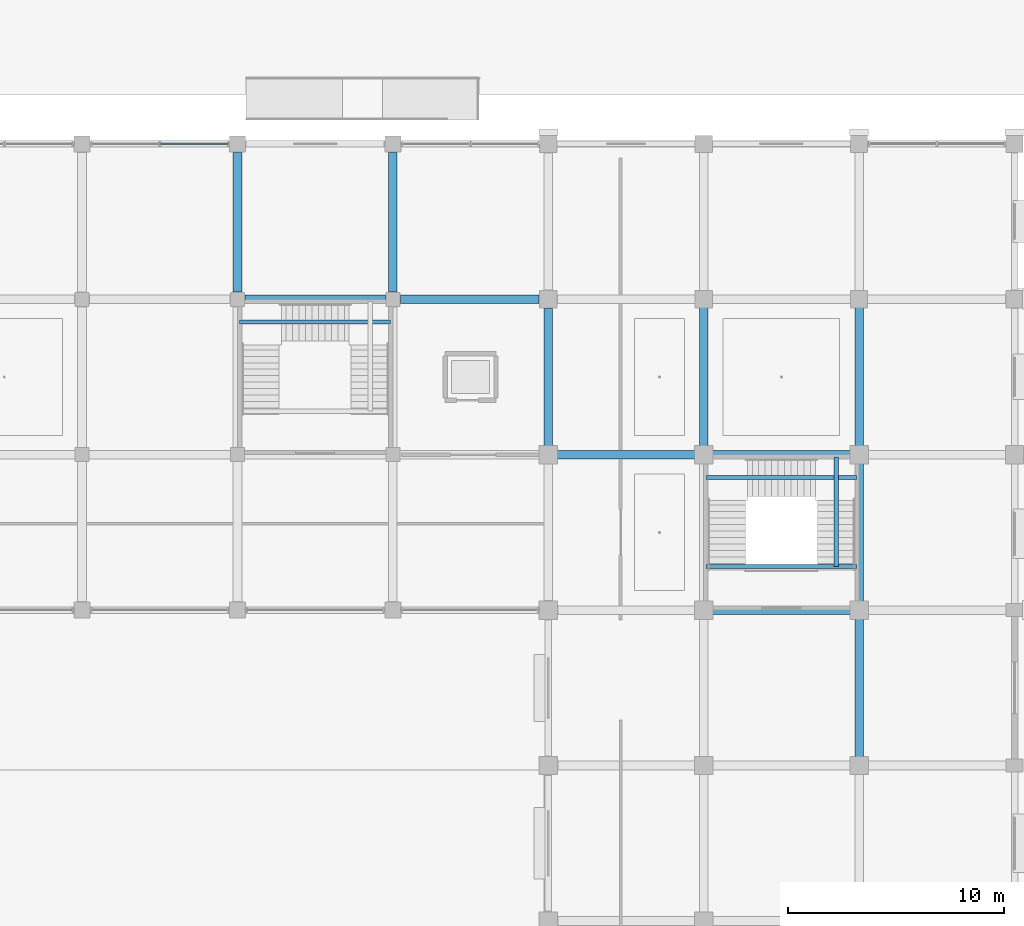
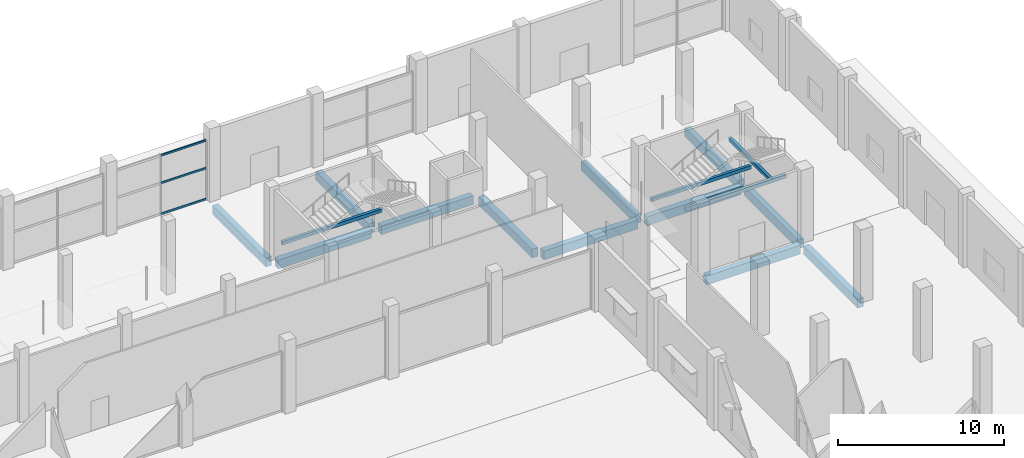
# One storey, part 47 of 90: 16 beams, 3 members, 1 element without a shape of its own.
"""IFC4 building model written with IfcOpenShell, lengths in metres."""

from ifc_helpers import new_model, si_unit, direction, frame, origin, origin_2d, place, context, subcontext, project, spatial, rectangle, hollow_rectangle, extrude, material, layer, layer_set, material_profile, profile_set, type_object, element, aggregate, save


model = new_model("IFC4")

# Units and contexts
model_context = context("Model", 3, precision=1e-05, world=origin(), true_north=direction((0.0, 1.0)))
body_context = subcontext(model_context, "Body", "Model", "MODEL_VIEW")
ifc_project = project(units=[si_unit("LENGTHUNIT", "METRE"), si_unit("AREAUNIT", "SQUARE_METRE"), si_unit("VOLUMEUNIT", "CUBIC_METRE"), si_unit("PLANEANGLEUNIT", "RADIAN"), si_unit("MASSUNIT", "GRAM", prefix="KILO")], contexts=[model_context])

# Site, building, storey
site_placement = place(None, origin())
site = spatial("IfcSite", under=ifc_project, at=site_placement, CompositionType="ELEMENT")
building_placement = place(site_placement, origin())
building = spatial("IfcBuilding", under=site, at=building_placement, Name="Kangsadwip Square Police Headquarters", CompositionType="ELEMENT")
storey_placement = place(building_placement, origin())
storey = spatial("IfcBuildingStorey", under=building, at=storey_placement, Name="L00", CompositionType="ELEMENT", Elevation=0.0)

# Curtain wall, members
ifc_material_1 = material(Name="Thermally broken anodised aluminium AW-6063-T6", Category="aluminium")
ifc_layer = layer(ifc_material_1, 0.159912109375)
ifc_layer_set = layer_set([ifc_layer], Name="Thermally broken anodised aluminium AW-6063-T6")
curtain_wall_type = type_object("IfcCurtainWallType", Name="UnitisedCw6460x4450", PredefinedType="NOTDEFINED", material=ifc_layer_set)
curtain_wall_placement = place(storey_placement, origin())
curtain_wall = element("IfcCurtainWall", 1, at=curtain_wall_placement, inside=storey, type_object=curtain_wall_type, Name="Curtain Wall CW-L00-1228-1152", PredefinedType="NOTDEFINED")
ifc_material_2 = material(Name="Thermally broken anodised aluminium AW-6063-T6", Category="aluminium")
ifc_material_profile_1 = material_profile(ifc_material_2, hollow_rectangle(XDim=0.074951171875, YDim=0.139892578125, WallThickness=0.0048828125, at=origin_2d()), Name="CWT 140X75X5")
ifc_profile_set_1 = profile_set([ifc_material_profile_1], Name="Thermally broken anodised aluminium AW-6063-T6")
member_type = type_object("IfcMemberType", Name="CwTransom160x65", PredefinedType="USERDEFINED", material=ifc_profile_set_1)
member_1_placement = place(storey_placement, frame((126.03759765625, 115.199951171875, 0.070068359375), z_axis=(1.0, 0.0, 0.0), x_axis=(0.0, 1.0, 0.0)))
member_1 = element("IfcMember", 2, at=member_1_placement, type_object=member_type, Name="CW-10 transom 2.1", ObjectType="TRANSOM", PredefinedType="USERDEFINED", context=body_context, shape_type="SweptSolid", body=[
    extrude(hollow_rectangle(XDim=0.074951171875, YDim=0.139892578125, WallThickness=0.0048828125, at=origin_2d()), origin(), (0.0, 0.0, 1.0), 3.117431640625),
])
member_2_placement = place(storey_placement, frame((126.03759765625, 115.199951171875, 2.35009765625), z_axis=(1.0, 0.0, 0.0), x_axis=(0.0, 1.0, 0.0)))
member_2 = element("IfcMember", 3, at=member_2_placement, type_object=member_type, Name="CW-10 transom 2.2", ObjectType="TRANSOM", PredefinedType="USERDEFINED", context=body_context, shape_type="SweptSolid", body=[
    extrude(hollow_rectangle(XDim=0.074951171875, YDim=0.139892578125, WallThickness=0.0048828125, at=origin_2d()), origin(), (0.0, 0.0, 1.0), 3.117431640625),
])
member_3_placement = place(storey_placement, frame((126.03759765625, 115.199951171875, 4.3798828125), z_axis=(1.0, 0.0, 0.0), x_axis=(0.0, 1.0, 0.0)))
member_3 = element("IfcMember", 4, at=member_3_placement, type_object=member_type, Name="CW-10 transom 2.3", ObjectType="TRANSOM", PredefinedType="USERDEFINED", context=body_context, shape_type="SweptSolid", body=[
    extrude(hollow_rectangle(XDim=0.074951171875, YDim=0.139892578125, WallThickness=0.0048828125, at=origin_2d()), origin(), (0.0, 0.0, 1.0), 3.117431640625),
])
aggregate(curtain_wall, [member_1, member_2, member_3])

# Beams
ifc_material_3 = material(Name="Concrete M35 (35 MPa)", Category="concrete")
ifc_material_profile_2 = material_profile(ifc_material_3, rectangle(XDim=0.39990234375, YDim=0.64990234375, at=origin_2d()), Name="RC BM 650X400")
ifc_profile_set_2 = profile_set([ifc_material_profile_2], Name="Concrete M35 (35 MPa)")
beam_type_1 = type_object("IfcBeamType", Name="RcBeam650x400", PredefinedType="BEAM", material=ifc_profile_set_2)
for number, where, z_axis, x_axis, name in (
    (5, (151.52490234375, 93.60009765625, -0.574951171875), (1.0, 0.0, 0.0), (0.0, 1.0, 0.0), "Beam BM-L00-X-21-13"),
    (6, (144.324951171875, 100.800048828125, -0.574951171875), (1.0, 0.0, 0.0), (0.0, 1.0, 0.0), "Beam BM-L00-X-20-14"),
    (7, (151.52490234375, 100.800048828125, -0.574951171875), (1.0, 0.0, 0.0), (0.0, 1.0, 0.0), "Beam BM-L00-X-21-14"),
):
    element("IfcBeam", number, at=place(storey_placement, frame(where, z_axis=z_axis, x_axis=x_axis)), inside=storey, type_object=beam_type_1, Name=name, PredefinedType="BEAM", context=body_context, shape_type="SweptSolid", body=[
        extrude(rectangle(XDim=0.39990234375, YDim=0.64990234375, at=origin_2d()), origin(), (0.0, 0.0, 1.0), 6.550048828125),
    ])
beam_1_placement = place(storey_placement, frame((129.949951171875, 108.0, -0.574951171875), z_axis=(1.0, 0.0, 0.0), x_axis=(0.0, 1.0, 0.0)))
element("IfcBeam", 8, at=beam_1_placement, inside=storey, type_object=beam_type_1, Name="Beam BM-L00-X-18-15", PredefinedType="BEAM", context=body_context, shape_type="SweptSolid", body=[
    extrude(rectangle(XDim=0.39990234375, YDim=0.64990234375, at=origin_2d()), origin(), (0.0, 0.0, 1.0), 6.5),
])
beam_2_placement = place(storey_placement, frame((137.14990234375, 108.0, -0.574951171875), z_axis=(1.0, 0.0, 0.0), x_axis=(0.0, 1.0, 0.0)))
element("IfcBeam", 9, at=beam_2_placement, inside=storey, type_object=beam_type_1, Name="Beam BM-L00-X-19-15", PredefinedType="BEAM", context=body_context, shape_type="SweptSolid", body=[
    extrude(rectangle(XDim=0.39990234375, YDim=0.64990234375, at=origin_2d()), origin(), (0.0, 0.0, 1.0), 6.425048828125),
])
for number, where, z_axis, x_axis, name in (
    (10, (129.60009765625, 108.35009765625, -0.574951171875), (0.0, 1.0, 0.0), (-1.0, 0.0, 0.0), "Beam BM-L00-Y-18-15"),
    (11, (136.800048828125, 108.35009765625, -0.574951171875), (0.0, 1.0, 0.0), (-1.0, 0.0, 0.0), "Beam BM-L00-Y-19-15"),
    (12, (144.0, 101.125, -0.574951171875), (0.0, 1.0, 0.0), (-1.0, 0.0, 0.0), "Beam BM-L00-Y-20-14"),
):
    element("IfcBeam", number, at=place(storey_placement, frame(where, z_axis=z_axis, x_axis=x_axis)), inside=storey, type_object=beam_type_1, Name=name, PredefinedType="BEAM", context=body_context, shape_type="SweptSolid", body=[
        extrude(rectangle(XDim=0.39990234375, YDim=0.64990234375, at=origin_2d()), origin(), (0.0, 0.0, 1.0), 6.449951171875),
    ])
beam_3_placement = place(storey_placement, frame((151.199951171875, 101.125, -0.574951171875), z_axis=(0.0, 1.0, 0.0), x_axis=(-1.0, 0.0, 0.0)))
element("IfcBeam", 13, at=beam_3_placement, inside=storey, type_object=beam_type_1, Name="Beam BM-L00-Y-21-14", PredefinedType="BEAM", context=body_context, shape_type="SweptSolid", body=[
    extrude(rectangle(XDim=0.39990234375, YDim=0.64990234375, at=origin_2d()), origin(), (0.0, 0.0, 1.0), 6.550048828125),
])
beam_4_placement = place(storey_placement, frame((158.39990234375, 86.72509765625, -0.574951171875), z_axis=(0.0, 1.0, 0.0), x_axis=(-1.0, 0.0, 0.0)))
element("IfcBeam", 14, at=beam_4_placement, inside=storey, type_object=beam_type_1, Name="Beam BM-L00-Y-22-12", PredefinedType="BEAM", context=body_context, shape_type="SweptSolid", body=[
    extrude(rectangle(XDim=0.39990234375, YDim=0.64990234375, at=origin_2d()), origin(), (0.0, 0.0, 1.0), 6.5498046875),
])
for number, where, z_axis, x_axis, name in (
    (15, (158.39990234375, 93.925048828125, -0.574951171875), (0.0, 1.0, 0.0), (-1.0, 0.0, 0.0), "Beam BM-L00-Y-22-13"),
    (16, (158.39990234375, 101.125, -0.574951171875), (0.0, 1.0, 0.0), (-1.0, 0.0, 0.0), "Beam BM-L00-Y-22-14"),
):
    element("IfcBeam", number, at=place(storey_placement, frame(where, z_axis=z_axis, x_axis=x_axis)), inside=storey, type_object=beam_type_1, Name=name, PredefinedType="BEAM", context=body_context, shape_type="SweptSolid", body=[
        extrude(rectangle(XDim=0.39990234375, YDim=0.64990234375, at=origin_2d()), origin(), (0.0, 0.0, 1.0), 6.550048828125),
    ])
ifc_material_4 = material(Name="Concrete M30 (30 MPa)", Category="concrete")
ifc_material_profile_3 = material_profile(ifc_material_4, rectangle(XDim=0.199951171875, YDim=0.25, at=origin_2d()), Name="RC LNT 250X200")
ifc_profile_set_3 = profile_set([ifc_material_profile_3], Name="Concrete M30 (30 MPa)")
beam_type_2 = type_object("IfcBeamType", Name="RcLintel250x200", PredefinedType="LINTEL", material=ifc_profile_set_3)
for number, where, z_axis, x_axis, name in (
    (17, (151.300048828125, 99.7451171875, 1.655029296875), (1.0, 0.0, 0.0), (0.0, 1.0, 0.0), "Stair Carriage and Landing Beam BM-ST-L00-058"),
    (18, (151.300048828125, 95.6201171875, 3.455078125), (1.0, 0.0, 0.0), (0.0, 1.0, 0.0), "Stair Carriage and Landing Beam BM-ST-L00-059"),
):
    element("IfcBeam", number, at=place(storey_placement, frame(where, z_axis=z_axis, x_axis=x_axis)), inside=storey, type_object=beam_type_2, Name=name, PredefinedType="BEAM", context=body_context, shape_type="SweptSolid", body=[
        extrude(rectangle(XDim=0.199951171875, YDim=0.25, at=origin_2d()), origin(), (0.0, 0.0, 1.0), 7.0),
    ])
beam_5_placement = place(storey_placement, frame((157.344970703125, 95.6201171875, 3.455078125), z_axis=(0.0, 1.0, 0.0), x_axis=(-1.0, 0.0, 0.0)))
element("IfcBeam", 19, at=beam_5_placement, inside=storey, type_object=beam_type_2, Name="Stair Carriage and Landing Beam BM-ST-L00-060", PredefinedType="BEAM", context=body_context, shape_type="SweptSolid", body=[
    extrude(rectangle(XDim=0.199951171875, YDim=0.25, at=origin_2d()), origin(), (0.0, 0.0, 1.0), 5.079833984375),
])
beam_6_placement = place(storey_placement, frame((129.699951171875, 106.945068359375, 1.655029296875), z_axis=(1.0, 0.0, 0.0), x_axis=(0.0, 1.0, 0.0)))
element("IfcBeam", 20, at=beam_6_placement, inside=storey, type_object=beam_type_2, Name="Stair Carriage and Landing Beam BM-ST-L00-069", PredefinedType="BEAM", context=body_context, shape_type="SweptSolid", body=[
    extrude(rectangle(XDim=0.199951171875, YDim=0.25, at=origin_2d()), origin(), (0.0, 0.0, 1.0), 7.0),
])

save(model, "model.ifc")
